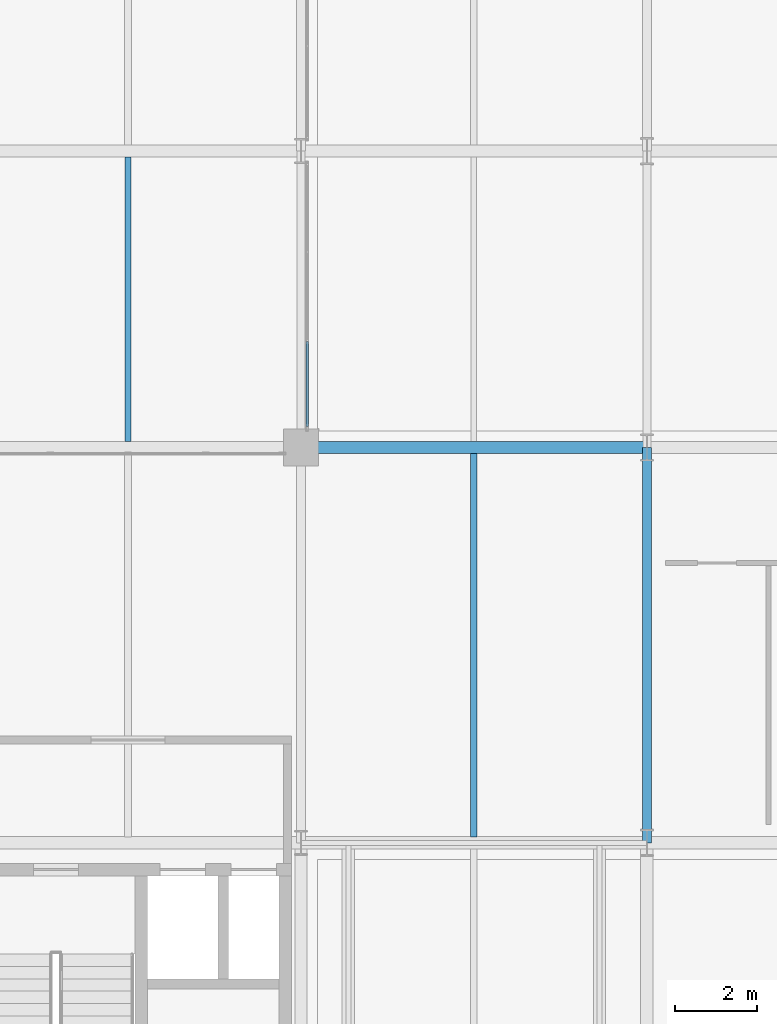
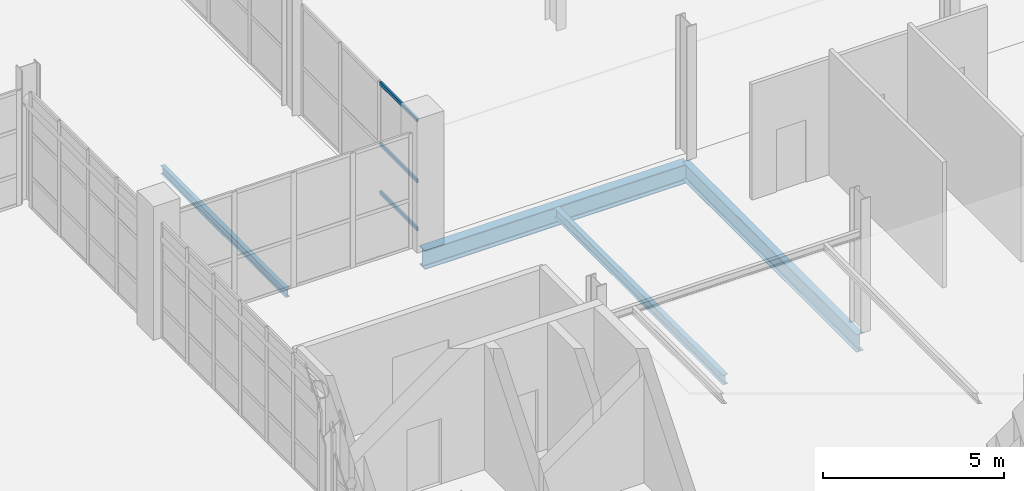
# One storey, part 31 of 130: 4 beams, 3 members, 1 element without a shape of its own.
"""IFC4 building model written with IfcOpenShell, lengths in metres."""

from ifc_helpers import new_model, si_unit, direction, frame, origin, origin_2d, place, context, subcontext, project, spatial, hollow_rectangle, i_section, extrude, material, material_profile, profile_set, type_object, element, aggregate, save


model = new_model("IFC4")

# Units and contexts
model_context = context("Model", 3, precision=1e-05, world=origin(), true_north=direction((0.0, 1.0)))
body_context = subcontext(model_context, "Body", "Model", "MODEL_VIEW")
ifc_project = project(units=[si_unit("LENGTHUNIT", "METRE"), si_unit("AREAUNIT", "SQUARE_METRE"), si_unit("VOLUMEUNIT", "CUBIC_METRE"), si_unit("PLANEANGLEUNIT", "RADIAN"), si_unit("MASSUNIT", "GRAM", prefix="KILO")], contexts=[model_context])

# Site, building, storey
site_placement = place(None, origin())
site = spatial("IfcSite", under=ifc_project, at=site_placement, CompositionType="ELEMENT")
building_placement = place(site_placement, origin())
building = spatial("IfcBuilding", under=site, at=building_placement, Name="Veltarok Museum of Natural Sciences", CompositionType="ELEMENT")
storey_placement = place(building_placement, frame((0.0, 0.0, 12.89990234375)))
storey = spatial("IfcBuildingStorey", under=building, at=storey_placement, Name="L02", CompositionType="ELEMENT", Elevation=12.89990234375)

# Curtain wall, members
ifc_material_1 = material(Name="Low-iron triple insulated glass", Category="glass")
curtain_wall_type = type_object("IfcCurtainWallType", Name="Curtain Wall System CW-V2W-L02-3-645x373 (CW-V2W L02 645x373cm)", PredefinedType="NOTDEFINED", material=ifc_material_1)
curtain_wall_placement = place(storey_placement, origin())
curtain_wall = element("IfcCurtainWall", 1, at=curtain_wall_placement, inside=storey, type_object=curtain_wall_type, Name="Curtain Wall CW-V2W-L02-3-645x373 CW-0139", PredefinedType="NOTDEFINED")
ifc_material_2 = material(Name="Thermally broken anodised aluminium", Category="aluminium")
ifc_material_profile_1 = material_profile(ifc_material_2, hollow_rectangle(XDim=0.06005859375, YDim=0.1201171875, WallThickness=0.0048828125, at=origin_2d()), Name="CW TRANSOM 60x120x5")
ifc_profile_set_1 = profile_set([ifc_material_profile_1], Name="Thermally broken anodised aluminium")
member_type = type_object("IfcMemberType", Name="Curtain Wall Horizontal Transom 60x120x5", PredefinedType="USERDEFINED", material=ifc_profile_set_1)
member_1_placement = place(storey_placement, frame((40.14990234375, 19.7099609375, 0.028076171875), z_axis=(0.0, 1.0, 0.0), x_axis=(-1.0, 0.0, 0.0)))
member_1 = element("IfcMember", 2, at=member_1_placement, type_object=member_type, Name="CW-V2W-L02-3-645x373 transom 1.1", ObjectType="TRANSOM", PredefinedType="USERDEFINED", context=body_context, shape_type="SweptSolid", body=[
    extrude(hollow_rectangle(XDim=0.06005859375, YDim=0.1201171875, WallThickness=0.0048828125, at=origin_2d()), origin(), (0.0, 0.0, 1.0), 2.06005859375),
])
member_2_placement = place(storey_placement, frame((40.14990234375, 19.7099609375, 1.648193359375), z_axis=(0.0, 1.0, 0.0), x_axis=(-1.0, 0.0, 0.0)))
member_2 = element("IfcMember", 3, at=member_2_placement, type_object=member_type, Name="CW-V2W-L02-3-645x373 transom 1.2", ObjectType="TRANSOM", PredefinedType="USERDEFINED", context=body_context, shape_type="SweptSolid", body=[
    extrude(hollow_rectangle(XDim=0.06005859375, YDim=0.1201171875, WallThickness=0.0048828125, at=origin_2d()), origin(), (0.0, 0.0, 1.0), 2.06005859375),
])
member_3_placement = place(storey_placement, frame((40.14990234375, 19.7099609375, 3.7001953125), z_axis=(0.0, 1.0, 0.0), x_axis=(-1.0, 0.0, 0.0)))
member_3 = element("IfcMember", 4, at=member_3_placement, type_object=member_type, Name="CW-V2W-L02-3-645x373 transom 1.3", ObjectType="TRANSOM", PredefinedType="USERDEFINED", context=body_context, shape_type="SweptSolid", body=[
    extrude(hollow_rectangle(XDim=0.06005859375, YDim=0.1201171875, WallThickness=0.0048828125, at=origin_2d()), origin(), (0.0, 0.0, 1.0), 2.06005859375),
])
aggregate(curtain_wall, [member_1, member_2, member_3])

# Beams
ifc_material_3 = material(Name="Steel S355J2", Category="steel")
ifc_material_profile_2 = material_profile(ifc_material_3, i_section(OverallWidth=0.300048828125, OverallDepth=0.639892578125, WebThickness=0.013427734375, FlangeThickness=0.02587890625, FilletRadius=0.027099609375, at=origin_2d()), Name="HEA 650")
ifc_profile_set_2 = profile_set([ifc_material_profile_2], Name="Steel S355J2")
beam_type_1 = type_object("IfcBeamType", Name="Heavy Exhibition Girder HEA 650", PredefinedType="BEAM", material=ifc_profile_set_2)
beam_1_placement = place(storey_placement, frame((40.0, 19.199951171875, -0.56982421875), z_axis=(1.0, 0.0, 0.0), x_axis=(0.0, 1.0, 0.0)))
element("IfcBeam", 5, at=beam_1_placement, inside=storey, type_object=beam_type_1, Name="Beam BM-G08 L02 5-6/C", PredefinedType="BEAM", context=body_context, shape_type="SweptSolid", body=[
    extrude(i_section(OverallWidth=0.300048828125, OverallDepth=0.639892578125, WebThickness=0.013427734375, FlangeThickness=0.02587890625, FilletRadius=0.027099609375, at=origin_2d()), origin(), (0.0, 0.0, 1.0), 8.39990234375),
])
ifc_material_profile_3 = material_profile(ifc_material_3, i_section(OverallWidth=0.159912109375, OverallDepth=0.330078125, WebThickness=0.007568359375, FlangeThickness=0.011474609375, FilletRadius=0.01806640625, at=origin_2d()), Name="IPE 330")
ifc_profile_set_3 = profile_set([ifc_material_profile_3], Name="Steel S355J2")
beam_type_2 = type_object("IfcBeamType", Name="Medium-Bay Composite Joist IPE 330", PredefinedType="JOIST", material=ifc_profile_set_3)
beam_2_placement = place(storey_placement, frame((44.199951171875, 9.748046875, -0.414794921875), z_axis=(0.0, 1.0, 0.0), x_axis=(-1.0, 0.0, 0.0)))
element("IfcBeam", 6, at=beam_2_placement, inside=storey, type_object=beam_type_2, Name="Secondary Joist BM-J02 L02 5-6/B-C.1", PredefinedType="JOIST", context=body_context, shape_type="SweptSolid", body=[
    extrude(i_section(OverallWidth=0.159912109375, OverallDepth=0.330078125, WebThickness=0.007568359375, FlangeThickness=0.011474609375, FilletRadius=0.01806640625, at=origin_2d()), origin(), (0.0, 0.0, 1.0), 9.303955078125),
])
ifc_material_profile_4 = material_profile(ifc_material_3, i_section(OverallWidth=0.219970703125, OverallDepth=0.60009765625, WebThickness=0.011962890625, FlangeThickness=0.01904296875, FilletRadius=0.02392578125, at=origin_2d()), Name="IPE 600")
ifc_profile_set_4 = profile_set([ifc_material_profile_4], Name="Steel S355J2")
beam_type_3 = type_object("IfcBeamType", Name="Primary Museum Girder IPE 600", PredefinedType="BEAM", material=ifc_profile_set_4)
beam_3_placement = place(storey_placement, frame((48.39990234375, 9.60009765625, -0.5498046875), z_axis=(0.0, 1.0, 0.0), x_axis=(-1.0, 0.0, 0.0)))
element("IfcBeam", 7, at=beam_3_placement, inside=storey, type_object=beam_type_3, Name="Beam BM-G02 L02 6/B-C", PredefinedType="BEAM", context=body_context, shape_type="SweptSolid", body=[
    extrude(i_section(OverallWidth=0.219970703125, OverallDepth=0.60009765625, WebThickness=0.011962890625, FlangeThickness=0.01904296875, FilletRadius=0.02392578125, at=origin_2d()), origin(), (0.0, 0.0, 1.0), 9.599853515625),
])
ifc_material_profile_5 = material_profile(ifc_material_3, i_section(OverallWidth=0.135009765625, OverallDepth=0.27001953125, WebThickness=0.006591796875, FlangeThickness=0.01025390625, FilletRadius=0.014892578125, at=origin_2d()), Name="IPE 270")
ifc_profile_set_5 = profile_set([ifc_material_profile_5], Name="Steel S355J2")
beam_type_4 = type_object("IfcBeamType", Name="Short-Bay Composite Joist IPE 270", PredefinedType="JOIST", material=ifc_profile_set_5)
beam_4_placement = place(storey_placement, frame((35.800048828125, 19.347900390625, -0.385009765625), z_axis=(0.0, 1.0, 0.0), x_axis=(-1.0, 0.0, 0.0)))
element("IfcBeam", 8, at=beam_4_placement, inside=storey, type_object=beam_type_4, Name="Secondary Joist BM-J04 L02 4-5/C-D.1", PredefinedType="JOIST", context=body_context, shape_type="SweptSolid", body=[
    extrude(i_section(OverallWidth=0.135009765625, OverallDepth=0.27001953125, WebThickness=0.006591796875, FlangeThickness=0.01025390625, FilletRadius=0.014892578125, at=origin_2d()), origin(), (0.0, 0.0, 1.0), 6.904052734375),
])

save(model, "model.ifc")
